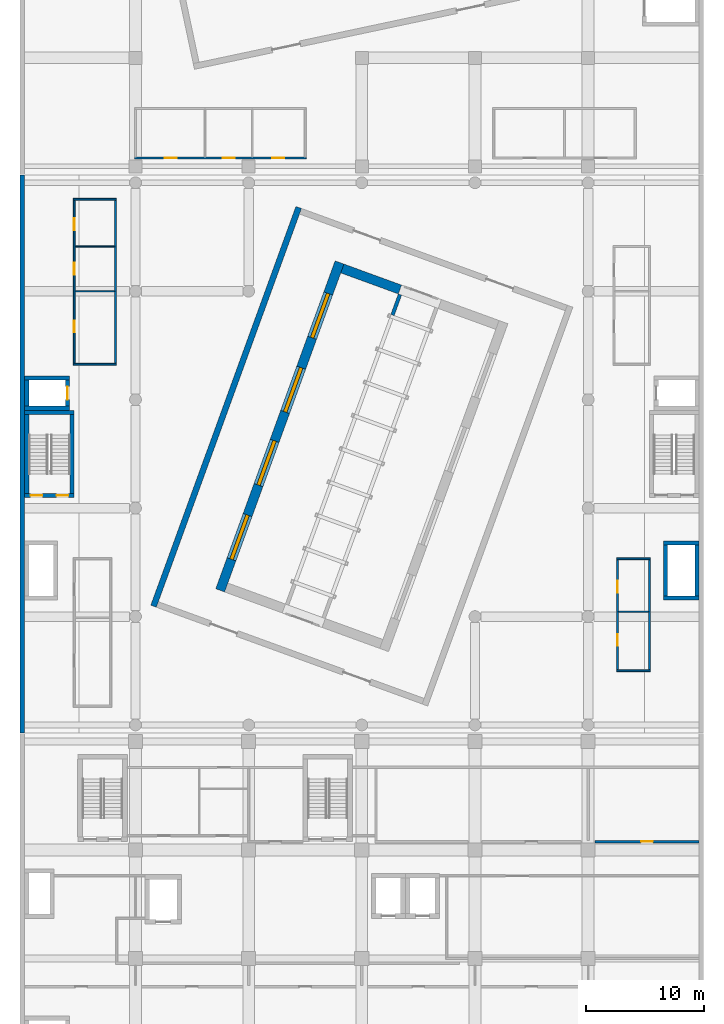
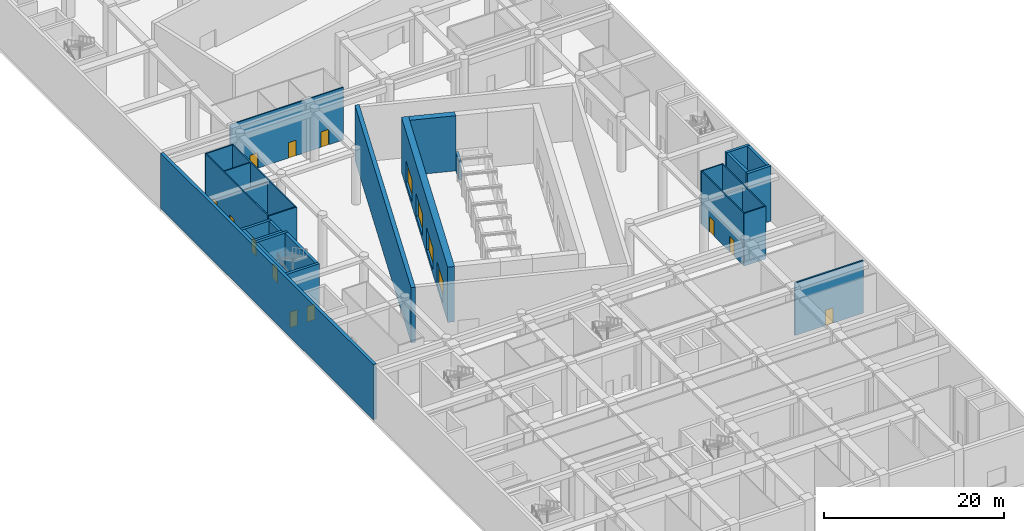
# One storey, part 17 of 36: 30 walls, 12 doors, 4 windows, 16 openings.
"""IFC4 building model written with IfcOpenShell, lengths in metres."""

from ifc_helpers import new_model, si_unit, direction, frame, frame_2d, origin, place, context, subcontext, project, spatial, rectangle, extrude, material, layer, layer_set, type_object, element, fill, save


model = new_model("IFC4")

# Units and contexts
model_context = context("Model", 3, precision=1e-05, world=origin(), true_north=direction((0.0, 1.0)))
body_context = subcontext(model_context, "Body", "Model", "MODEL_VIEW")
ifc_project = project(units=[si_unit("LENGTHUNIT", "METRE"), si_unit("AREAUNIT", "SQUARE_METRE"), si_unit("VOLUMEUNIT", "CUBIC_METRE"), si_unit("PLANEANGLEUNIT", "RADIAN"), si_unit("MASSUNIT", "GRAM", prefix="KILO")], contexts=[model_context])

# Site, building, storey
site_placement = place(None, origin())
site = spatial("IfcSite", under=ifc_project, at=site_placement, CompositionType="ELEMENT")
building_placement = place(site_placement, origin())
building = spatial("IfcBuilding", under=site, at=building_placement, Name="Nzadi Deep Aquarium and Research Tower", CompositionType="ELEMENT")
storey_placement = place(building_placement, frame((0.0, 0.0, 14.199951171875)))
storey = spatial("IfcBuildingStorey", under=building, at=storey_placement, Name="L02", CompositionType="ELEMENT", Elevation=14.199951171875)

# Walls
ifc_material_1 = material(Name="Blockwork masonry", Category="masonry")
ifc_layer_1 = layer(ifc_material_1, 0.10009765625)
ifc_layer_set_1 = layer_set([ifc_layer_1], Name="Blockwork masonry")
wall_type_1 = type_object("IfcWallType", Name="Partition 100 EI 30", PredefinedType="PARTITIONING", material=ifc_layer_set_1)
wall_1_placement = place(storey_placement, frame((4.47509765625, 84.199951171875, 0.0), z_axis=(0.0, 0.0, 1.0), x_axis=(1.0, 0.0, 0.0)))
element("IfcWall", 1, at=wall_1_placement, inside=storey, type_object=wall_type_1, Name="W-Z2-L02-P008", PredefinedType="PARTITIONING", context=body_context, shape_type="SweptSolid", body=[
    extrude(rectangle(XDim=3.349853515625, YDim=0.10009765625, at=frame_2d((1.6748046875, 0.0))), origin(), (0.0, 0.0, 1.0), 6.75),
])
wall_2_placement = place(storey_placement, frame((50.574951171875, 57.0, 0.0), z_axis=(0.0, 0.0, 1.0), x_axis=(1.0, 0.0, 0.0)))
element("IfcWall", 2, at=wall_2_placement, inside=storey, type_object=wall_type_1, Name="W-Z2-L02-P019", PredefinedType="PARTITIONING", context=body_context, shape_type="SweptSolid", body=[
    extrude(rectangle(XDim=2.550048828125, YDim=0.10009765625, at=frame_2d((1.27490234375, 0.0))), origin(), (0.0, 0.0, 1.0), 6.75),
])
ifc_material_2 = material(Name="Blockwork masonry", Category="masonry")
ifc_layer_2 = layer(ifc_material_2, 0.10009765625)
ifc_layer_set_2 = layer_set([ifc_layer_2], Name="Blockwork masonry")
wall_type_2 = type_object("IfcWallType", Name="Partition 100 EI 30, 7.15 m high", PredefinedType="PARTITIONING", material=ifc_layer_set_2)
wall_3_placement = place(storey_placement, frame((4.47509765625, 88.0, 0.0), z_axis=(0.0, 0.0, 1.0), x_axis=(1.0, 0.0, 0.0)))
element("IfcWall", 3, at=wall_3_placement, inside=storey, type_object=wall_type_2, Name="W-Z2-L02-P009", PredefinedType="PARTITIONING", context=body_context, shape_type="SweptSolid", body=[
    extrude(rectangle(XDim=3.349853515625, YDim=0.10009765625, at=frame_2d((1.6748046875, 0.0))), origin(), (0.0, 0.0, 1.0), 7.150146484375),
])

# Wall, openings, doors
ifc_material_3 = material(Name="Blockwork masonry", Category="masonry")
ifc_layer_3 = layer(ifc_material_3, 0.14990234375)
ifc_layer_set_3 = layer_set([ifc_layer_3], Name="Blockwork masonry")
wall_type_3 = type_object("IfcWallType", Name="Partition 150 EI 60", PredefinedType="PARTITIONING", material=ifc_layer_set_3)
wall_4_placement = place(storey_placement, frame((9.52490234375, 95.5, 0.0), z_axis=(0.0, 0.0, 1.0), x_axis=(1.0, 0.0, 0.0)))
wall_4 = element("IfcWall", 4, at=wall_4_placement, inside=storey, type_object=wall_type_3, Name="W-Z3-L02-P001", PredefinedType="PARTITIONING", context=body_context, shape_type="SweptSolid", body=[
    extrude(rectangle(XDim=14.550048828125, YDim=0.14990234375, at=frame_2d((7.27490234375, 0.0))), origin(), (0.0, 0.0, 1.0), 7.150146484375),
])
opening_1_placement = place(wall_4_placement, frame((2.56005859375, 0.0, 0.0)))
opening_1 = element("IfcOpeningElement", 5, at=opening_1_placement, cuts=wall_4, Name="Opening D033001", PredefinedType="OPENING", context=body_context, shape_type="SweptSolid", body=[
    extrude(rectangle(XDim=1.0, YDim=2.10009765625, at=frame_2d((0.5, 1.050048828125))), frame((0.0, 0.0849609375, 0.0), z_axis=(0.0, -1.0, 0.0), x_axis=(1.0, 0.0, 0.0)), (0.0, 0.0, 1.0), 0.169921875),
])
opening_2_placement = place(wall_4_placement, frame((7.47509765625, 0.0, 0.0)))
opening_2 = element("IfcOpeningElement", 6, at=opening_2_placement, cuts=wall_4, Name="Opening D033002", PredefinedType="OPENING", context=body_context, shape_type="SweptSolid", body=[
    extrude(rectangle(XDim=1.0, YDim=2.10009765625, at=frame_2d((0.5, 1.050048828125))), frame((0.0, 0.0849609375, 0.0), z_axis=(0.0, -1.0, 0.0), x_axis=(1.0, 0.0, 0.0)), (0.0, 0.0, 1.0), 0.169921875),
])
opening_3_placement = place(wall_4_placement, frame((11.68994140625, 0.0, 0.0)))
opening_3 = element("IfcOpeningElement", 7, at=opening_3_placement, cuts=wall_4, Name="Opening D033003", PredefinedType="OPENING", context=body_context, shape_type="SweptSolid", body=[
    extrude(rectangle(XDim=1.0, YDim=2.10009765625, at=frame_2d((0.5, 1.050048828125))), frame((0.0, 0.0849609375, 0.0), z_axis=(0.0, -1.0, 0.0), x_axis=(1.0, 0.0, 0.0)), (0.0, 0.0, 1.0), 0.169921875),
])
ifc_material_4 = material(Name="Fire-rated steel door", Category="steel")
ifc_layer_4 = layer(ifc_material_4, 0.050048828125)
ifc_layer_set_4 = layer_set([ifc_layer_4], Name="Fire-rated steel door")
door_type_1 = type_object("IfcDoorType", Name="Door 1000x2100 EI 60 single", OperationType="SINGLE_SWING_LEFT", PredefinedType="DOOR", material=ifc_layer_set_4)
door_1_placement = place(opening_1_placement, origin())
door_1 = element("IfcDoor", 8, at=door_1_placement, inside=storey, type_object=door_type_1, Name="D033001", OperationType="SINGLE_SWING_LEFT", OverallHeight=2.10009765625, OverallWidth=1.0, PredefinedType="DOOR", context=body_context, shape_type="SweptSolid", body=[
    extrude(rectangle(XDim=1.0, YDim=2.10009765625, at=frame_2d((0.5, 1.050048828125))), frame((0.0, 0.02490234375, 0.0), z_axis=(0.0, -1.0, 0.0), x_axis=(1.0, 0.0, 0.0)), (0.0, 0.0, 1.0), 0.050048828125),
])
fill(opening_1, door_1)
door_2_placement = place(opening_2_placement, origin())
door_2 = element("IfcDoor", 9, at=door_2_placement, inside=storey, type_object=door_type_1, Name="D033002", OperationType="SINGLE_SWING_RIGHT", OverallHeight=2.10009765625, OverallWidth=1.0, PredefinedType="DOOR", context=body_context, shape_type="SweptSolid", body=[
    extrude(rectangle(XDim=1.0, YDim=2.10009765625, at=frame_2d((0.5, 1.050048828125))), frame((0.0, 0.02490234375, 0.0), z_axis=(0.0, -1.0, 0.0), x_axis=(1.0, 0.0, 0.0)), (0.0, 0.0, 1.0), 0.050048828125),
])
fill(opening_2, door_2)
door_3_placement = place(opening_3_placement, origin())
door_3 = element("IfcDoor", 10, at=door_3_placement, inside=storey, type_object=door_type_1, Name="D033003", OperationType="SINGLE_SWING_RIGHT", OverallHeight=2.10009765625, OverallWidth=1.0, PredefinedType="DOOR", context=body_context, shape_type="SweptSolid", body=[
    extrude(rectangle(XDim=1.0, YDim=2.10009765625, at=frame_2d((0.5, 1.050048828125))), frame((0.0, 0.02490234375, 0.0), z_axis=(0.0, -1.0, 0.0), x_axis=(1.0, 0.0, 0.0)), (0.0, 0.0, 1.0), 0.050048828125),
])
fill(opening_3, door_3)

# Wall
wall_5_placement = place(storey_placement, frame((4.324951171875, 78.0, 0.0), z_axis=(0.0, 0.0, 1.0), x_axis=(1.0, 0.0, 0.0)))
element("IfcWall", 11, at=wall_5_placement, inside=storey, type_object=wall_type_3, Name="W-Z2-L02-P004", PredefinedType="PARTITIONING", context=body_context, shape_type="SweptSolid", body=[
    extrude(rectangle(XDim=3.650146484375, YDim=0.14990234375, at=frame_2d((1.8251953125, 0.0))), origin(), (0.0, 0.0, 1.0), 7.150146484375),
])

# Wall, openings, doors
wall_6_placement = place(storey_placement, frame((4.39990234375, 78.074951171875, 0.0), z_axis=(0.0, 0.0, 1.0), x_axis=(0.0, 1.0, 0.0)))
wall_6 = element("IfcWall", 12, at=wall_6_placement, inside=storey, type_object=wall_type_3, Name="W-Z2-L02-P005", PredefinedType="PARTITIONING", context=body_context, shape_type="SweptSolid", body=[
    extrude(rectangle(XDim=13.85009765625, YDim=0.14990234375, at=frame_2d((6.925048828125, 0.0))), origin(), (0.0, 0.0, 1.0), 7.150146484375),
])
opening_4_placement = place(wall_6_placement, frame((2.635009765625, 0.0, 0.0)))
opening_4 = element("IfcOpeningElement", 13, at=opening_4_placement, cuts=wall_6, Name="Opening D032005", PredefinedType="OPENING", context=body_context, shape_type="SweptSolid", body=[
    extrude(rectangle(XDim=1.0, YDim=2.10009765625, at=frame_2d((0.5, 1.050048828125))), frame((0.0, 0.0849609375, 0.0), z_axis=(0.0, -1.0, 0.0), x_axis=(1.0, 0.0, 0.0)), (0.0, 0.0, 1.0), 0.169921875),
])
opening_5_placement = place(wall_6_placement, frame((7.52490234375, 0.0, 0.0)))
opening_5 = element("IfcOpeningElement", 14, at=opening_5_placement, cuts=wall_6, Name="Opening D032006", PredefinedType="OPENING", context=body_context, shape_type="SweptSolid", body=[
    extrude(rectangle(XDim=1.0, YDim=2.10009765625, at=frame_2d((0.5, 1.050048828125))), frame((0.0, 0.0849609375, 0.0), z_axis=(0.0, -1.0, 0.0), x_axis=(1.0, 0.0, 0.0)), (0.0, 0.0, 1.0), 0.169921875),
])
opening_6_placement = place(wall_6_placement, frame((11.31494140625, 0.0, 0.0)))
opening_6 = element("IfcOpeningElement", 15, at=opening_6_placement, cuts=wall_6, Name="Opening D032009", PredefinedType="OPENING", context=body_context, shape_type="SweptSolid", body=[
    extrude(rectangle(XDim=1.0, YDim=2.10009765625, at=frame_2d((0.5, 1.050048828125))), frame((0.0, 0.0849609375, 0.0), z_axis=(0.0, -1.0, 0.0), x_axis=(1.0, 0.0, 0.0)), (0.0, 0.0, 1.0), 0.169921875),
])
door_4_placement = place(opening_4_placement, origin())
door_4 = element("IfcDoor", 16, at=door_4_placement, inside=storey, type_object=door_type_1, Name="D032005", OperationType="SINGLE_SWING_RIGHT", OverallHeight=2.10009765625, OverallWidth=1.0, PredefinedType="DOOR", context=body_context, shape_type="SweptSolid", body=[
    extrude(rectangle(XDim=1.0, YDim=2.10009765625, at=frame_2d((0.5, 1.050048828125))), frame((0.0, 0.02490234375, 0.0), z_axis=(0.0, -1.0, 0.0), x_axis=(1.0, 0.0, 0.0)), (0.0, 0.0, 1.0), 0.050048828125),
])
fill(opening_4, door_4)
door_5_placement = place(opening_5_placement, origin())
door_5 = element("IfcDoor", 17, at=door_5_placement, inside=storey, type_object=door_type_1, Name="D032006", OperationType="SINGLE_SWING_LEFT", OverallHeight=2.10009765625, OverallWidth=1.0, PredefinedType="DOOR", context=body_context, shape_type="SweptSolid", body=[
    extrude(rectangle(XDim=1.0, YDim=2.10009765625, at=frame_2d((0.5, 1.050048828125))), frame((0.0, 0.02490234375, 0.0), z_axis=(0.0, -1.0, 0.0), x_axis=(1.0, 0.0, 0.0)), (0.0, 0.0, 1.0), 0.050048828125),
])
fill(opening_5, door_5)
door_6_placement = place(opening_6_placement, origin())
door_6 = element("IfcDoor", 18, at=door_6_placement, inside=storey, type_object=door_type_1, Name="D032009", OperationType="SINGLE_SWING_LEFT", OverallHeight=2.10009765625, OverallWidth=1.0, PredefinedType="DOOR", context=body_context, shape_type="SweptSolid", body=[
    extrude(rectangle(XDim=1.0, YDim=2.10009765625, at=frame_2d((0.5, 1.050048828125))), frame((0.0, 0.02490234375, 0.0), z_axis=(0.0, -1.0, 0.0), x_axis=(1.0, 0.0, 0.0)), (0.0, 0.0, 1.0), 0.050048828125),
])
fill(opening_6, door_6)

# Walls
wall_7_placement = place(storey_placement, frame((4.324951171875, 92.0, 0.0), z_axis=(0.0, 0.0, 1.0), x_axis=(1.0, 0.0, 0.0)))
element("IfcWall", 19, at=wall_7_placement, inside=storey, type_object=wall_type_3, Name="W-Z2-L02-P006", PredefinedType="PARTITIONING", context=body_context, shape_type="SweptSolid", body=[
    extrude(rectangle(XDim=3.650146484375, YDim=0.14990234375, at=frame_2d((1.8251953125, 0.0))), origin(), (0.0, 0.0, 1.0), 7.150146484375),
])
wall_8_placement = place(storey_placement, frame((7.89990234375, 78.074951171875, 0.0), z_axis=(0.0, 0.0, 1.0), x_axis=(0.0, 1.0, 0.0)))
element("IfcWall", 20, at=wall_8_placement, inside=storey, type_object=wall_type_3, Name="W-Z2-L02-P011", PredefinedType="PARTITIONING", context=body_context, shape_type="SweptSolid", body=[
    extrude(rectangle(XDim=13.85009765625, YDim=0.14990234375, at=frame_2d((6.925048828125, 0.0))), origin(), (0.0, 0.0, 1.0), 7.150146484375),
])
wall_9_placement = place(storey_placement, frame((50.425048828125, 52.0, 0.0), z_axis=(0.0, 0.0, 1.0), x_axis=(1.0, 0.0, 0.0)))
element("IfcWall", 21, at=wall_9_placement, inside=storey, type_object=wall_type_3, Name="W-Z2-L02-P016", PredefinedType="PARTITIONING", context=body_context, shape_type="SweptSolid", body=[
    extrude(rectangle(XDim=2.849853515625, YDim=0.14990234375, at=frame_2d((1.4248046875, 0.0))), origin(), (0.0, 0.0, 1.0), 7.150146484375),
])

# Wall, openings, doors
wall_10_placement = place(storey_placement, frame((50.5, 52.074951171875, 0.0), z_axis=(0.0, 0.0, 1.0), x_axis=(0.0, 1.0, 0.0)))
wall_10 = element("IfcWall", 22, at=wall_10_placement, inside=storey, type_object=wall_type_3, Name="W-Z2-L02-P017", PredefinedType="PARTITIONING", context=body_context, shape_type="SweptSolid", body=[
    extrude(rectangle(XDim=9.35009765625, YDim=0.14990234375, at=frame_2d((4.675048828125, 0.0))), origin(), (0.0, 0.0, 1.0), 7.150146484375),
])
opening_7_placement = place(wall_10_placement, frame((2.034912109375, 0.0, 0.0)))
opening_7 = element("IfcOpeningElement", 23, at=opening_7_placement, cuts=wall_10, Name="Opening D032003", PredefinedType="OPENING", context=body_context, shape_type="SweptSolid", body=[
    extrude(rectangle(XDim=1.0, YDim=2.10009765625, at=frame_2d((0.5, 1.050048828125))), frame((0.0, 0.0849609375, 0.0), z_axis=(0.0, -1.0, 0.0), x_axis=(1.0, 0.0, 0.0)), (0.0, 0.0, 1.0), 0.169921875),
])
opening_8_placement = place(wall_10_placement, frame((6.56494140625, 0.0, 0.0)))
opening_8 = element("IfcOpeningElement", 24, at=opening_8_placement, cuts=wall_10, Name="Opening D032004", PredefinedType="OPENING", context=body_context, shape_type="SweptSolid", body=[
    extrude(rectangle(XDim=1.0, YDim=2.10009765625, at=frame_2d((0.5, 1.050048828125))), frame((0.0, 0.0849609375, 0.0), z_axis=(0.0, -1.0, 0.0), x_axis=(1.0, 0.0, 0.0)), (0.0, 0.0, 1.0), 0.169921875),
])
door_7_placement = place(opening_7_placement, origin())
door_7 = element("IfcDoor", 25, at=door_7_placement, inside=storey, type_object=door_type_1, Name="D032003", OperationType="SINGLE_SWING_RIGHT", OverallHeight=2.10009765625, OverallWidth=1.0, PredefinedType="DOOR", context=body_context, shape_type="SweptSolid", body=[
    extrude(rectangle(XDim=1.0, YDim=2.10009765625, at=frame_2d((0.5, 1.050048828125))), frame((0.0, 0.02490234375, 0.0), z_axis=(0.0, -1.0, 0.0), x_axis=(1.0, 0.0, 0.0)), (0.0, 0.0, 1.0), 0.050048828125),
])
fill(opening_7, door_7)
door_8_placement = place(opening_8_placement, origin())
door_8 = element("IfcDoor", 26, at=door_8_placement, inside=storey, type_object=door_type_1, Name="D032004", OperationType="SINGLE_SWING_LEFT", OverallHeight=2.10009765625, OverallWidth=1.0, PredefinedType="DOOR", context=body_context, shape_type="SweptSolid", body=[
    extrude(rectangle(XDim=1.0, YDim=2.10009765625, at=frame_2d((0.5, 1.050048828125))), frame((0.0, 0.02490234375, 0.0), z_axis=(0.0, -1.0, 0.0), x_axis=(1.0, 0.0, 0.0)), (0.0, 0.0, 1.0), 0.050048828125),
])
fill(opening_8, door_8)

# Walls
wall_11_placement = place(storey_placement, frame((50.425048828125, 61.5, 0.0), z_axis=(0.0, 0.0, 1.0), x_axis=(1.0, 0.0, 0.0)))
element("IfcWall", 27, at=wall_11_placement, inside=storey, type_object=wall_type_3, Name="W-Z2-L02-P018", PredefinedType="PARTITIONING", context=body_context, shape_type="SweptSolid", body=[
    extrude(rectangle(XDim=2.849853515625, YDim=0.14990234375, at=frame_2d((1.4248046875, 0.0))), origin(), (0.0, 0.0, 1.0), 7.150146484375),
])
wall_12_placement = place(storey_placement, frame((53.199951171875, 52.074951171875, 0.0), z_axis=(0.0, 0.0, 1.0), x_axis=(0.0, 1.0, 0.0)))
element("IfcWall", 28, at=wall_12_placement, inside=storey, type_object=wall_type_3, Name="W-Z2-L02-P020", PredefinedType="PARTITIONING", context=body_context, shape_type="SweptSolid", body=[
    extrude(rectangle(XDim=9.35009765625, YDim=0.14990234375, at=frame_2d((4.675048828125, 0.0))), origin(), (0.0, 0.0, 1.0), 7.150146484375),
])

# Wall, opening, door
ifc_material_5 = material(Name="Blockwork masonry", Category="masonry")
ifc_layer_5 = layer(ifc_material_5, 0.199951171875)
ifc_layer_set_5 = layer_set([ifc_layer_5], Name="Blockwork masonry")
wall_type_4 = type_object("IfcWallType", Name="Partition 200 EI 120", PredefinedType="PARTITIONING", material=ifc_layer_set_5)
wall_13_placement = place(storey_placement, frame((48.60009765625, 37.5, 0.0), z_axis=(0.0, 0.0, 1.0), x_axis=(1.0, 0.0, 0.0)))
wall_13 = element("IfcWall", 29, at=wall_13_placement, inside=storey, type_object=wall_type_4, Name="W-Z1-L02-P061", PredefinedType="PARTITIONING", context=body_context, shape_type="SweptSolid", body=[
    extrude(rectangle(XDim=8.7939453125, YDim=0.199951171875, at=frame_2d((4.39697265625, 0.0))), origin(), (0.0, 0.0, 1.0), 7.150146484375),
])
opening_9_placement = place(wall_13_placement, frame((3.89697265625, 0.0, 0.0)))
opening_9 = element("IfcOpeningElement", 30, at=opening_9_placement, cuts=wall_13, Name="Opening D031017", PredefinedType="OPENING", context=body_context, shape_type="SweptSolid", body=[
    extrude(rectangle(XDim=1.0, YDim=2.10009765625, at=frame_2d((0.5, 1.050048828125))), frame((0.0, 0.110107421875, 0.0), z_axis=(0.0, -1.0, 0.0), x_axis=(1.0, 0.0, 0.0)), (0.0, 0.0, 1.0), 0.22021484375),
])
ifc_material_6 = material(Name="Fire-rated steel door", Category="steel")
ifc_layer_6 = layer(ifc_material_6, 0.050048828125)
ifc_layer_set_6 = layer_set([ifc_layer_6], Name="Fire-rated steel door")
door_type_2 = type_object("IfcDoorType", Name="Door 1000x2100 EI 120 single", OperationType="SINGLE_SWING_LEFT", PredefinedType="DOOR", material=ifc_layer_set_6)
door_9_placement = place(opening_9_placement, origin())
door_9 = element("IfcDoor", 31, at=door_9_placement, inside=storey, type_object=door_type_2, Name="D031017", OperationType="SINGLE_SWING_RIGHT", OverallHeight=2.10009765625, OverallWidth=1.0, PredefinedType="DOOR", context=body_context, shape_type="SweptSolid", body=[
    extrude(rectangle(XDim=1.0, YDim=2.10009765625, at=frame_2d((0.5, 1.050048828125))), frame((0.0, 0.02490234375, 0.0), z_axis=(0.0, -1.0, 0.0), x_axis=(1.0, 0.0, 0.0)), (0.0, 0.0, 1.0), 0.050048828125),
])
fill(opening_9, door_9)

# Wall, openings, doors
ifc_material_7 = material(Name="Concrete C35/45", Category="concrete")
ifc_layer_7 = layer(ifc_material_7, 0.35009765625)
ifc_layer_set_7 = layer_set([ifc_layer_7], Name="Concrete C35/45")
wall_type_5 = type_object("IfcWallType", Name="RC core wall 350, 7.50 to 7.70 m high", PredefinedType="SHEAR", material=ifc_layer_set_7)
wall_14_placement = place(storey_placement, frame((0.199951171875, 66.875, 0.0), z_axis=(0.0, 0.0, 1.0), x_axis=(1.0, 0.0, 0.0)))
wall_14 = element("IfcWall", 32, at=wall_14_placement, inside=storey, type_object=wall_type_5, Name="W-CORE-ST-Z2-W-L02-S", PredefinedType="SHEAR", context=body_context, shape_type="SweptSolid", body=[
    extrude(rectangle(XDim=4.199951171875, YDim=0.35009765625, at=frame_2d((2.10009765625, 0.0))), origin(), (0.0, 0.0, 1.0), 7.5),
])
opening_10_placement = place(wall_14_placement, frame((0.5, 0.0, 0.0)))
opening_10 = element("IfcOpeningElement", 33, at=opening_10_placement, cuts=wall_14, Name="Opening DS-Z2-W-L02A", PredefinedType="OPENING", context=body_context, shape_type="SweptSolid", body=[
    extrude(rectangle(XDim=1.0, YDim=2.10009765625, at=frame_2d((0.5, 1.050048828125))), frame((0.0, 0.18505859375, 0.0), z_axis=(0.0, -1.0, 0.0), x_axis=(1.0, 0.0, 0.0)), (0.0, 0.0, 1.0), 0.3701171875),
])
opening_11_placement = place(wall_14_placement, frame((2.699951171875, 0.0, 0.0)))
opening_11 = element("IfcOpeningElement", 34, at=opening_11_placement, cuts=wall_14, Name="Opening DS-Z2-W-L02B", PredefinedType="OPENING", context=body_context, shape_type="SweptSolid", body=[
    extrude(rectangle(XDim=1.0, YDim=2.10009765625, at=frame_2d((0.5, 1.050048828125))), frame((0.0, 0.18505859375, 0.0), z_axis=(0.0, -1.0, 0.0), x_axis=(1.0, 0.0, 0.0)), (0.0, 0.0, 1.0), 0.3701171875),
])
ifc_material_8 = material(Name="Steel, powder coated", Category="steel")
door_type_3 = type_object("IfcDoorType", Name="STAIR DOOR 1000x2100 EI 60", OperationType="SINGLE_SWING_LEFT", PredefinedType="DOOR", material=ifc_material_8)
door_10_placement = place(opening_10_placement, origin())
door_10 = element("IfcDoor", 35, at=door_10_placement, inside=storey, type_object=door_type_3, Name="Stair door ST-Z2-W L02 A", OperationType="SINGLE_SWING_RIGHT", OverallHeight=2.10009765625, OverallWidth=1.0, PredefinedType="DOOR", context=body_context, shape_type="SweptSolid", body=[
    extrude(rectangle(XDim=1.0, YDim=2.10009765625, at=frame_2d((0.5, 1.050048828125))), frame((0.0, 0.02490234375, 0.0), z_axis=(0.0, -1.0, 0.0), x_axis=(1.0, 0.0, 0.0)), (0.0, 0.0, 1.0), 0.050048828125),
])
fill(opening_10, door_10)
door_11_placement = place(opening_11_placement, origin())
door_11 = element("IfcDoor", 36, at=door_11_placement, inside=storey, type_object=door_type_3, Name="Stair door ST-Z2-W L02 B", OperationType="SINGLE_SWING_LEFT", OverallHeight=2.10009765625, OverallWidth=1.0, PredefinedType="DOOR", context=body_context, shape_type="SweptSolid", body=[
    extrude(rectangle(XDim=1.0, YDim=2.10009765625, at=frame_2d((0.5, 1.050048828125))), frame((0.0, 0.02490234375, 0.0), z_axis=(0.0, -1.0, 0.0), x_axis=(1.0, 0.0, 0.0)), (0.0, 0.0, 1.0), 0.050048828125),
])
fill(opening_11, door_11)

# Walls
wall_15_placement = place(storey_placement, frame((0.199951171875, 73.925048828125, 0.0), z_axis=(0.0, 0.0, 1.0), x_axis=(1.0, 0.0, 0.0)))
element("IfcWall", 37, at=wall_15_placement, inside=storey, type_object=wall_type_5, Name="W-CORE-ST-Z2-W-L02-N", PredefinedType="SHEAR", context=body_context, shape_type="SweptSolid", body=[
    extrude(rectangle(XDim=4.199951171875, YDim=0.35009765625, at=frame_2d((2.10009765625, 0.0))), origin(), (0.0, 0.0, 1.0), 7.5),
])
for number, where, z_axis, x_axis, name in (
    (38, (0.375, 67.050048828125, 0.0), (0.0, 0.0, 1.0), (0.0, 1.0, 0.0), "W-CORE-ST-Z2-W-L02-W"),
    (39, (4.22509765625, 67.050048828125, 0.0), (0.0, 0.0, 1.0), (0.0, 1.0, 0.0), "W-CORE-ST-Z2-W-L02-E"),
):
    element("IfcWall", number, at=place(storey_placement, frame(where, z_axis=z_axis, x_axis=x_axis)), inside=storey, type_object=wall_type_5, Name=name, PredefinedType="SHEAR", context=body_context, shape_type="SweptSolid", body=[
        extrude(rectangle(XDim=6.699951171875, YDim=0.35009765625, at=frame_2d((3.35009765625, 0.0))), origin(), (0.0, 0.0, 1.0), 7.5),
    ])
for number, where, z_axis, x_axis, name in (
    (40, (0.199951171875, 74.27490234375, 0.0), (0.0, 0.0, 1.0), (1.0, 0.0, 0.0), "W-CORE-PL3-L02-S"),
    (41, (0.199951171875, 76.824951171875, 0.0), (0.0, 0.0, 1.0), (1.0, 0.0, 0.0), "W-CORE-PL3-L02-N"),
):
    element("IfcWall", number, at=place(storey_placement, frame(where, z_axis=z_axis, x_axis=x_axis)), inside=storey, type_object=wall_type_5, Name=name, PredefinedType="SHEAR", context=body_context, shape_type="SweptSolid", body=[
        extrude(rectangle(XDim=3.800048828125, YDim=0.35009765625, at=frame_2d((1.89990234375, 0.0))), origin(), (0.0, 0.0, 1.0), 7.5),
    ])
wall_16_placement = place(storey_placement, frame((0.375, 74.449951171875, 0.0), z_axis=(0.0, 0.0, 1.0), x_axis=(0.0, 1.0, 0.0)))
element("IfcWall", 42, at=wall_16_placement, inside=storey, type_object=wall_type_5, Name="W-CORE-PL3-L02-W", PredefinedType="SHEAR", context=body_context, shape_type="SweptSolid", body=[
    extrude(rectangle(XDim=2.199951171875, YDim=0.35009765625, at=frame_2d((1.10009765625, 0.0))), origin(), (0.0, 0.0, 1.0), 7.5),
])

# Wall, opening, door
wall_17_placement = place(storey_placement, frame((3.824951171875, 74.449951171875, 0.0), z_axis=(0.0, 0.0, 1.0), x_axis=(0.0, 1.0, 0.0)))
wall_17 = element("IfcWall", 43, at=wall_17_placement, inside=storey, type_object=wall_type_5, Name="W-CORE-PL3-L02-E", PredefinedType="SHEAR", context=body_context, shape_type="SweptSolid", body=[
    extrude(rectangle(XDim=2.199951171875, YDim=0.35009765625, at=frame_2d((1.10009765625, 0.0))), origin(), (0.0, 0.0, 1.0), 7.5),
])
opening_12_placement = place(wall_17_placement, frame((0.550048828125, 0.0, 0.0)))
opening_12 = element("IfcOpeningElement", 44, at=opening_12_placement, cuts=wall_17, Name="Opening LD-PL3-L02", PredefinedType="OPENING", context=body_context, shape_type="SweptSolid", body=[
    extrude(rectangle(XDim=1.10009765625, YDim=2.10009765625, at=frame_2d((0.550048828125, 1.050048828125))), frame((0.0, 0.18505859375, 0.0), z_axis=(0.0, -1.0, 0.0), x_axis=(1.0, 0.0, 0.0)), (0.0, 0.0, 1.0), 0.3701171875),
])
ifc_material_9 = material(Name="Stainless steel 1.4301", Category="steel")
door_type_4 = type_object("IfcDoorType", Name="LANDING DOOR 1100x2100", OperationType="DOUBLE_DOOR_SLIDING", PredefinedType="DOOR", material=ifc_material_9)
door_12_placement = place(opening_12_placement, origin())
door_12 = element("IfcDoor", 45, at=door_12_placement, inside=storey, type_object=door_type_4, Name="Landing door PL3 L02", OperationType="DOUBLE_DOOR_SLIDING", OverallHeight=2.10009765625, OverallWidth=1.10009765625, PredefinedType="DOOR", context=body_context, shape_type="SweptSolid", body=[
    extrude(rectangle(XDim=1.10009765625, YDim=2.10009765625, at=frame_2d((0.550048828125, 1.050048828125))), frame((0.0, 0.02490234375, 0.0), z_axis=(0.0, -1.0, 0.0), x_axis=(1.0, 0.0, 0.0)), (0.0, 0.0, 1.0), 0.050048828125),
])
fill(opening_12, door_12)

# Walls
for number, where, z_axis, x_axis, name in (
    (46, (54.39990234375, 58.175048828125, 0.0), (0.0, 0.0, 1.0), (1.0, 0.0, 0.0), "W-CORE-RS-Z2-E-L02-S"),
    (47, (54.39990234375, 62.824951171875, 0.0), (0.0, 0.0, 1.0), (1.0, 0.0, 0.0), "W-CORE-RS-Z2-E-L02-N"),
):
    element("IfcWall", number, at=place(storey_placement, frame(where, z_axis=z_axis, x_axis=x_axis)), inside=storey, type_object=wall_type_5, Name=name, PredefinedType="SHEAR", context=body_context, shape_type="SweptSolid", body=[
        extrude(rectangle(XDim=3.0, YDim=0.35009765625, at=frame_2d((1.5, 0.0))), origin(), (0.0, 0.0, 1.0), 7.5),
    ])
for number, where, z_axis, x_axis, name in (
    (48, (54.574951171875, 58.35009765625, 0.0), (0.0, 0.0, 1.0), (0.0, 1.0, 0.0), "W-CORE-RS-Z2-E-L02-W"),
    (49, (57.22509765625, 58.35009765625, 0.0), (0.0, 0.0, 1.0), (0.0, 1.0, 0.0), "W-CORE-RS-Z2-E-L02-E"),
):
    element("IfcWall", number, at=place(storey_placement, frame(where, z_axis=z_axis, x_axis=x_axis)), inside=storey, type_object=wall_type_5, Name=name, PredefinedType="SHEAR", context=body_context, shape_type="SweptSolid", body=[
        extrude(rectangle(XDim=4.2998046875, YDim=0.35009765625, at=frame_2d((2.14990234375, 0.0))), origin(), (0.0, 0.0, 1.0), 7.5),
    ])
ifc_material_10 = material(Name="Concrete C35/45", Category="concrete")
ifc_layer_8 = layer(ifc_material_10, 0.5)
ifc_layer_set_8 = layer_set([ifc_layer_8], Name="Concrete C35/45")
wall_type_6 = type_object("IfcWallType", Name="RC envelope wall 500, 7.50 to 8.80 m high", PredefinedType="SHEAR", material=ifc_layer_set_8)
wall_18_placement = place(storey_placement, frame((11.13232421875, 57.475341796875, 0.0), z_axis=(0.0, 0.0, 1.0), x_axis=(0.342021295667, 0.939692201367, 0.0)))
element("IfcWall", 50, at=wall_18_placement, inside=storey, type_object=wall_type_6, Name="W-PR-L02-W", PredefinedType="SHEAR", context=body_context, shape_type="SweptSolid", body=[
    extrude(rectangle(XDim=36.0, YDim=0.5, at=frame_2d((18.0, 0.0))), origin(), (0.0, 0.0, 1.0), 7.5),
])
ifc_material_11 = material(Name="Concrete C35/45", Category="concrete")
ifc_layer_9 = layer(ifc_material_11, 0.39990234375)
ifc_layer_set_9 = layer_set([ifc_layer_9], Name="Concrete C35/45")
wall_type_7 = type_object("IfcWallType", Name="RC party wall 400, 7.50 to 7.70 m high", PredefinedType="SHEAR", material=ifc_layer_set_9)
wall_19_placement = place(storey_placement, frame((0.00048828125, 46.719970703125, 0.0), z_axis=(0.0, 0.0, 1.0), x_axis=(0.0, 1.0, 0.0)))
element("IfcWall", 51, at=wall_19_placement, inside=storey, type_object=wall_type_7, Name="W-PTY-Z2-L02-W", PredefinedType="SHEAR", context=body_context, shape_type="SweptSolid", body=[
    extrude(rectangle(XDim=47.360107421875, YDim=0.39990234375, at=frame_2d((23.68017578125, 0.0))), origin(), (0.0, 0.0, 1.0), 7.5),
])
ifc_material_12 = material(Name="Concrete C40/50", Category="concrete")
ifc_layer_10 = layer(ifc_material_12, 0.300048828125)
ifc_layer_set_10 = layer_set([ifc_layer_10], Name="Concrete C40/50")
wall_type_8 = type_object("IfcWallType", Name="RC sleeve wall 300 C40/50", PredefinedType="SHEAR", material=ifc_layer_set_10)
wall_20_placement = place(storey_placement, frame((31.405029296875, 82.181640625, 0.0), z_axis=(0.0, 0.0, 1.0), x_axis=(0.3420821328, 0.939670056147, 0.0)))
element("IfcWall", 52, at=wall_20_placement, inside=storey, type_object=wall_type_8, Name="W-TUN-NW", PredefinedType="SHEAR", context=body_context, shape_type="SweptSolid", body=[
    extrude(rectangle(XDim=1.849853515625, YDim=0.300048828125, at=frame_2d((0.9248046875, 0.0))), origin(), (0.0, 0.0, 1.0), 2.60009765625),
])

# Wall, openings, windows
ifc_material_13 = material(Name="Concrete C40/50", Category="concrete")
ifc_layer_11 = layer(ifc_material_13, 0.800048828125)
ifc_layer_set_11 = layer_set([ifc_layer_11], Name="Concrete C40/50")
wall_type_9 = type_object("IfcWallType", Name="RC tank wall 800 C40/50, 7.50 m high", PredefinedType="SOLIDWALL", material=ifc_layer_set_11)
wall_21_placement = place(storey_placement, frame((16.784423828125, 58.823486328125, 0.0), z_axis=(0.0, 0.0, 1.0), x_axis=(0.342019205328, 0.939692962188, 0.0)))
wall_21 = element("IfcWall", 53, at=wall_21_placement, inside=storey, type_object=wall_type_9, Name="W-TK-L02-W", PredefinedType="SOLIDWALL", context=body_context, shape_type="SweptSolid", body=[
    extrude(rectangle(XDim=29.60009765625, YDim=0.800048828125, at=frame_2d((14.800048828125, 0.0))), origin(), (0.0, 0.0, 1.0), 7.5),
])
opening_13_placement = place(wall_21_placement, frame((2.800048828125, 0.0, 0.60009765625)))
opening_13 = element("IfcOpeningElement", 54, at=opening_13_placement, cuts=wall_21, Name="Opening TW01", PredefinedType="OPENING", context=body_context, shape_type="SweptSolid", body=[
    extrude(rectangle(XDim=4.0, YDim=3.0, at=frame_2d((2.0, 1.5))), frame((0.0, 0.41015625, 0.0), z_axis=(0.0, -1.0, 0.0), x_axis=(1.0, 0.0, 0.0)), (0.0, 0.0, 1.0), 0.8203125),
])
opening_14_placement = place(wall_21_placement, frame((9.5, 0.0, 0.60009765625)))
opening_14 = element("IfcOpeningElement", 55, at=opening_14_placement, cuts=wall_21, Name="Opening TW02", PredefinedType="OPENING", context=body_context, shape_type="SweptSolid", body=[
    extrude(rectangle(XDim=4.0, YDim=3.0, at=frame_2d((2.0, 1.5))), frame((0.0, 0.41015625, 0.0), z_axis=(0.0, -1.0, 0.0), x_axis=(1.0, 0.0, 0.0)), (0.0, 0.0, 1.0), 0.8203125),
])
opening_15_placement = place(wall_21_placement, frame((16.10009765625, 0.0, 0.60009765625)))
opening_15 = element("IfcOpeningElement", 56, at=opening_15_placement, cuts=wall_21, Name="Opening TW03", PredefinedType="OPENING", context=body_context, shape_type="SweptSolid", body=[
    extrude(rectangle(XDim=4.0, YDim=3.0, at=frame_2d((2.0, 1.5))), frame((0.0, 0.41015625, 0.0), z_axis=(0.0, -1.0, 0.0), x_axis=(1.0, 0.0, 0.0)), (0.0, 0.0, 1.0), 0.8203125),
])
opening_16_placement = place(wall_21_placement, frame((22.800048828125, 0.0, 0.60009765625)))
opening_16 = element("IfcOpeningElement", 57, at=opening_16_placement, cuts=wall_21, Name="Opening TW04", PredefinedType="OPENING", context=body_context, shape_type="SweptSolid", body=[
    extrude(rectangle(XDim=4.0, YDim=3.0, at=frame_2d((2.0, 1.5))), frame((0.0, 0.41015625, 0.0), z_axis=(0.0, -1.0, 0.0), x_axis=(1.0, 0.0, 0.0)), (0.0, 0.0, 1.0), 0.8203125),
])
ifc_material_14 = material(Name="Acrylic sheet")
ifc_layer_12 = layer(ifc_material_14, 0.300048828125)
ifc_layer_set_12 = layer_set([ifc_layer_12], Name="Acrylic sheet")
window_type = type_object("IfcWindowType", Name="Acrylic viewing window 4000x3000", PartitioningType="SINGLE_PANEL", PredefinedType="WINDOW", material=ifc_layer_set_12)
window_1_placement = place(opening_13_placement, origin())
window_1 = element("IfcWindow", 58, at=window_1_placement, inside=storey, type_object=window_type, Name="TW01 acrylic viewing window", OverallHeight=3.0, OverallWidth=4.0, PartitioningType="SINGLE_PANEL", PredefinedType="WINDOW", context=body_context, shape_type="SweptSolid", body=[
    extrude(rectangle(XDim=4.0, YDim=3.0, at=frame_2d((2.0, 1.5))), frame((0.0, 0.14990234375, 0.0), z_axis=(0.0, -1.0, 0.0), x_axis=(1.0, 0.0, 0.0)), (0.0, 0.0, 1.0), 0.300048828125),
])
fill(opening_13, window_1)
window_2_placement = place(opening_14_placement, origin())
window_2 = element("IfcWindow", 59, at=window_2_placement, inside=storey, type_object=window_type, Name="TW02 acrylic viewing window", OverallHeight=3.0, OverallWidth=4.0, PartitioningType="SINGLE_PANEL", PredefinedType="WINDOW", context=body_context, shape_type="SweptSolid", body=[
    extrude(rectangle(XDim=4.0, YDim=3.0, at=frame_2d((2.0, 1.5))), frame((0.0, 0.14990234375, 0.0), z_axis=(0.0, -1.0, 0.0), x_axis=(1.0, 0.0, 0.0)), (0.0, 0.0, 1.0), 0.300048828125),
])
fill(opening_14, window_2)
window_3_placement = place(opening_15_placement, origin())
window_3 = element("IfcWindow", 60, at=window_3_placement, inside=storey, type_object=window_type, Name="TW03 acrylic viewing window", OverallHeight=3.0, OverallWidth=4.0, PartitioningType="SINGLE_PANEL", PredefinedType="WINDOW", context=body_context, shape_type="SweptSolid", body=[
    extrude(rectangle(XDim=4.0, YDim=3.0, at=frame_2d((2.0, 1.5))), frame((0.0, 0.14990234375, 0.0), z_axis=(0.0, -1.0, 0.0), x_axis=(1.0, 0.0, 0.0)), (0.0, 0.0, 1.0), 0.300048828125),
])
fill(opening_15, window_3)
window_4_placement = place(opening_16_placement, origin())
window_4 = element("IfcWindow", 61, at=window_4_placement, inside=storey, type_object=window_type, Name="TW04 acrylic viewing window", OverallHeight=3.0, OverallWidth=4.0, PartitioningType="SINGLE_PANEL", PredefinedType="WINDOW", context=body_context, shape_type="SweptSolid", body=[
    extrude(rectangle(XDim=4.0, YDim=3.0, at=frame_2d((2.0, 1.5))), frame((0.0, 0.14990234375, 0.0), z_axis=(0.0, -1.0, 0.0), x_axis=(1.0, 0.0, 0.0)), (0.0, 0.0, 1.0), 0.300048828125),
])
fill(opening_16, window_4)

# Wall
wall_22_placement = place(storey_placement, frame((27.147216796875, 86.125732421875, 0.0), z_axis=(0.0, 0.0, 1.0), x_axis=(0.939690572239, -0.342025771609, 0.0)))
element("IfcWall", 62, at=wall_22_placement, inside=storey, type_object=wall_type_9, Name="W-TK-L02-N-L", PredefinedType="SOLIDWALL", context=body_context, shape_type="SweptSolid", body=[
    extrude(rectangle(XDim=5.2001953125, YDim=0.800048828125, at=frame_2d((2.60009765625, 0.0))), origin(), (0.0, 0.0, 1.0), 7.5),
])

save(model, "model.ifc")
